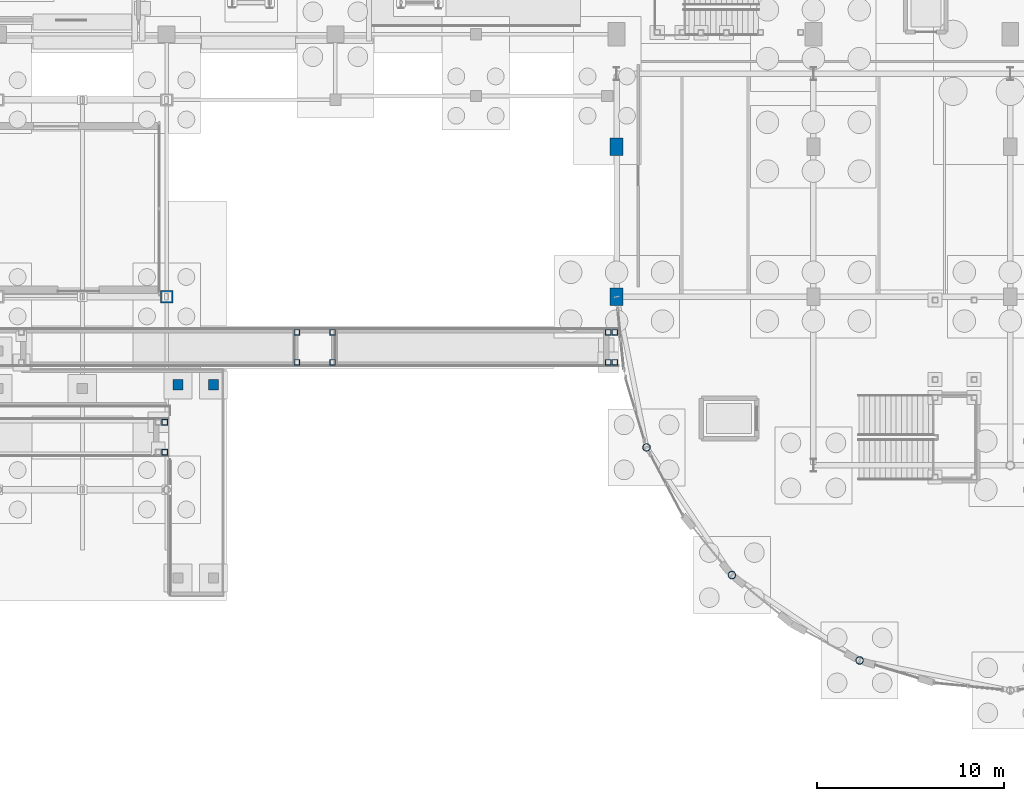
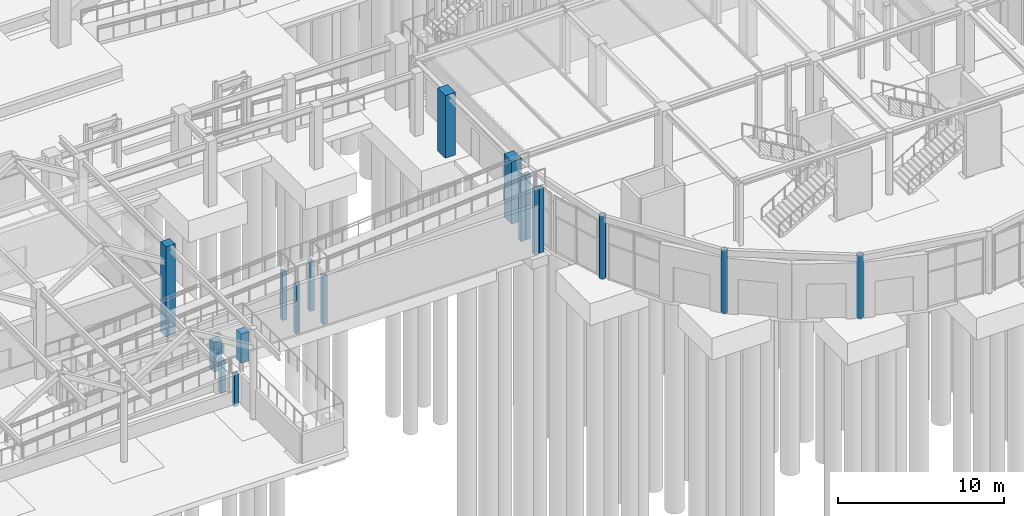
# One storey, part 14 of 160: 18 columns.
"""IFC4 building model written with IfcOpenShell, lengths in metres."""

from ifc_helpers import new_model, si_unit, direction, frame, origin, origin_2d, place, context, subcontext, project, spatial, rectangle, hollow_rectangle, hollow_circle, extrude, material, material_profile, profile_set, type_object, element, save


model = new_model("IFC4")

# Units and contexts
model_context = context("Model", 3, precision=1e-05, world=origin(), true_north=direction((0.0, 1.0)))
body_context = subcontext(model_context, "Body", "Model", "MODEL_VIEW")
ifc_project = project(units=[si_unit("LENGTHUNIT", "METRE"), si_unit("AREAUNIT", "SQUARE_METRE"), si_unit("VOLUMEUNIT", "CUBIC_METRE"), si_unit("PLANEANGLEUNIT", "RADIAN"), si_unit("MASSUNIT", "GRAM", prefix="KILO")], contexts=[model_context])

# Site, building, storey
site_placement = place(None, origin())
site = spatial("IfcSite", under=ifc_project, at=site_placement, CompositionType="ELEMENT")
building_placement = place(site_placement, origin())
building = spatial("IfcBuilding", under=site, at=building_placement, Name="Marlcrest Central Station", CompositionType="ELEMENT")
storey_placement = place(building_placement, origin())
storey = spatial("IfcBuildingStorey", under=building, at=storey_placement, Name="L00", CompositionType="ELEMENT", Elevation=0.0)

# Columns
ifc_material_1 = material(Name="Concrete C40/50", Category="concrete")
ifc_material_profile_1 = material_profile(ifc_material_1, rectangle(XDim=0.550048828125, YDim=0.550048828125, at=origin_2d()), Name="RC 550x550")
ifc_profile_set_1 = profile_set([ifc_material_profile_1], Name="Concrete C40/50")
column_type_1 = type_object("IfcColumnType", Name="RC-03", PredefinedType="COLUMN", material=ifc_profile_set_1)
for number, where, z_axis, x_axis, name in (
    (1, (63.60009765625, 17.800048828125, 0.0), (0.0, 0.0, 1.0), (1.0, 0.0, 0.0), "col-RC-03-L00-0398"),
    (2, (65.5, 17.800048828125, 0.0), (0.0, 0.0, 1.0), (1.0, 0.0, 0.0), "col-RC-03-L00-0399"),
):
    element("IfcColumn", number, at=place(storey_placement, frame(where, z_axis=z_axis, x_axis=x_axis)), inside=storey, type_object=column_type_1, Name=name, PredefinedType="COLUMN", context=body_context, shape_type="SweptSolid", body=[
        extrude(rectangle(XDim=0.550048828125, YDim=0.550048828125, at=origin_2d()), origin(), (0.0, 0.0, 1.0), 2.14990234375),
    ])
ifc_material_2 = material(Name="Concrete C50/60", Category="concrete")
ifc_material_profile_2 = material_profile(ifc_material_2, rectangle(XDim=0.64990234375, YDim=0.64990234375, at=origin_2d()), Name="RC 650x650")
ifc_profile_set_2 = profile_set([ifc_material_profile_2], Name="Concrete C50/60")
column_type_2 = type_object("IfcColumnType", Name="RC-05", PredefinedType="COLUMN", material=ifc_profile_set_2)
column_placement = place(storey_placement, frame((63.0, 22.5, 0.0), z_axis=(0.0, 0.0, 1.0), x_axis=(1.0, 0.0, 0.0)))
element("IfcColumn", 3, at=column_placement, inside=storey, type_object=column_type_2, Name="col-RC-05-L00-0383", PredefinedType="COLUMN", context=body_context, shape_type="SweptSolid", body=[
    extrude(rectangle(XDim=0.64990234375, YDim=0.64990234375, at=origin_2d()), origin(), (0.0, 0.0, 1.0), 6.639892578125),
])
ifc_material_profile_3 = material_profile(ifc_material_2, rectangle(XDim=0.699951171875, YDim=0.949951171875, at=origin_2d()), Name="RC 700x950")
ifc_profile_set_3 = profile_set([ifc_material_profile_3], Name="Concrete C50/60")
column_type_3 = type_object("IfcColumnType", Name="RC-10", PredefinedType="COLUMN", material=ifc_profile_set_3)
for number, where, z_axis, x_axis, name in (
    (4, (87.0, 22.5, 0.0), (0.0, 0.0, 1.0), (1.0, 0.0, 0.0), "col-RC-10-L00-0667"),
    (5, (87.0, 30.5, 0.0), (0.0, 0.0, 1.0), (1.0, 0.0, 0.0), "col-RC-10-L00-0685"),
):
    element("IfcColumn", number, at=place(storey_placement, frame(where, z_axis=z_axis, x_axis=x_axis)), inside=storey, type_object=column_type_3, Name=name, PredefinedType="COLUMN", context=body_context, shape_type="SweptSolid", body=[
        extrude(rectangle(XDim=0.699951171875, YDim=0.949951171875, at=origin_2d()), origin(), (0.0, 0.0, 1.0), 4.610107421875),
    ])
ifc_material_3 = material(Name="Steel S355", Category="steel")
ifc_material_profile_4 = material_profile(ifc_material_3, hollow_circle(Radius=0.203125, WallThickness=0.02001953125, at=origin_2d()), Name="CHS 406.4x20")
ifc_profile_set_4 = profile_set([ifc_material_profile_4], Name="Steel S355")
column_type_4 = type_object("IfcColumnType", Name="SC-10", PredefinedType="COLUMN", material=ifc_profile_set_4)
for number, where, z_axis, x_axis, name in (
    (6, (88.59912109375, 14.464111328125, 0.0), (0.0, 0.0, 1.0), (1.0, 0.0, 0.0), "col-SC-10-L00-0787"),
    (7, (93.15087890625, 7.65087890625, 0.0), (0.0, 0.0, 1.0), (1.0, 0.0, 0.0), "col-SC-10-L00-0791"),
    (8, (99.964111328125, 3.09912109375, 0.0), (0.0, 0.0, 1.0), (1.0, 0.0, 0.0), "col-SC-10-L00-0795"),
):
    element("IfcColumn", number, at=place(storey_placement, frame(where, z_axis=z_axis, x_axis=x_axis)), inside=storey, type_object=column_type_4, Name=name, PredefinedType="COLUMN", context=body_context, shape_type="SweptSolid", body=[
        extrude(hollow_circle(Radius=0.203125, WallThickness=0.02001953125, at=origin_2d()), origin(), (0.0, 0.0, 1.0), 4.610107421875),
    ])
ifc_material_profile_5 = material_profile(ifc_material_3, hollow_rectangle(XDim=0.300048828125, YDim=0.300048828125, WallThickness=0.01611328125, at=origin_2d()), Name="SHS 300x300x16")
ifc_profile_set_5 = profile_set([ifc_material_profile_5], Name="Steel S355")
column_type_5 = type_object("IfcColumnType", Name="SC-19", PredefinedType="COLUMN", material=ifc_profile_set_5)
for number, where, z_axis, x_axis, name in (
    (9, (62.89990234375, 14.199951171875, -0.25), (0.0, 0.0, 1.0), (1.0, 0.0, 0.0), "ramp-01-ldcol-3-629-142"),
    (10, (62.89990234375, 15.800048828125, -0.25), (0.0, 0.0, 1.0), (1.0, 0.0, 0.0), "ramp-01-ldcol-3-629-158"),
):
    element("IfcColumn", number, at=place(storey_placement, frame(where, z_axis=z_axis, x_axis=x_axis)), inside=storey, type_object=column_type_5, Name=name, PredefinedType="COLUMN", context=body_context, shape_type="SweptSolid", body=[
        extrude(hollow_rectangle(XDim=0.300048828125, YDim=0.300048828125, WallThickness=0.01611328125, at=origin_2d()), origin(), (0.0, 0.0, 1.0), 2.39990234375),
    ])
for number, where, z_axis, x_axis, name in (
    (11, (69.949951171875, 19.0, -0.25), (0.0, 0.0, 1.0), (1.0, 0.0, 0.0), "ramp-02-ldcol-2-699-190"),
    (12, (69.949951171875, 20.60009765625, -0.25), (0.0, 0.0, 1.0), (1.0, 0.0, 0.0), "ramp-02-ldcol-2-699-206"),
    (13, (71.85009765625, 19.0, -0.25), (0.0, 0.0, 1.0), (1.0, 0.0, 0.0), "ramp-02-ldcol-2-718-190"),
    (14, (71.85009765625, 20.60009765625, -0.25), (0.0, 0.0, 1.0), (1.0, 0.0, 0.0), "ramp-02-ldcol-2-718-206"),
):
    element("IfcColumn", number, at=place(storey_placement, frame(where, z_axis=z_axis, x_axis=x_axis)), inside=storey, type_object=column_type_5, Name=name, PredefinedType="COLUMN", context=body_context, shape_type="SweptSolid", body=[
        extrude(hollow_rectangle(XDim=0.300048828125, YDim=0.300048828125, WallThickness=0.01611328125, at=origin_2d()), origin(), (0.0, 0.0, 1.0), 3.60009765625),
    ])
for number, where, z_axis, x_axis, name in (
    (15, (86.550048828125, 19.0, -0.25), (0.0, 0.0, 1.0), (1.0, 0.0, 0.0), "ramp-02-ldcol-3-865-190"),
    (16, (86.550048828125, 20.60009765625, -0.25), (0.0, 0.0, 1.0), (1.0, 0.0, 0.0), "ramp-02-ldcol-3-865-206"),
    (17, (86.89990234375, 19.0, -0.25), (0.0, 0.0, 1.0), (1.0, 0.0, 0.0), "ramp-02-ldcol-3-869-190"),
    (18, (86.89990234375, 20.60009765625, -0.25), (0.0, 0.0, 1.0), (1.0, 0.0, 0.0), "ramp-02-ldcol-3-869-206"),
):
    element("IfcColumn", number, at=place(storey_placement, frame(where, z_axis=z_axis, x_axis=x_axis)), inside=storey, type_object=column_type_5, Name=name, PredefinedType="COLUMN", context=body_context, shape_type="SweptSolid", body=[
        extrude(hollow_rectangle(XDim=0.300048828125, YDim=0.300048828125, WallThickness=0.01611328125, at=origin_2d()), origin(), (0.0, 0.0, 1.0), 4.800048828125),
    ])

save(model, "model.ifc")
